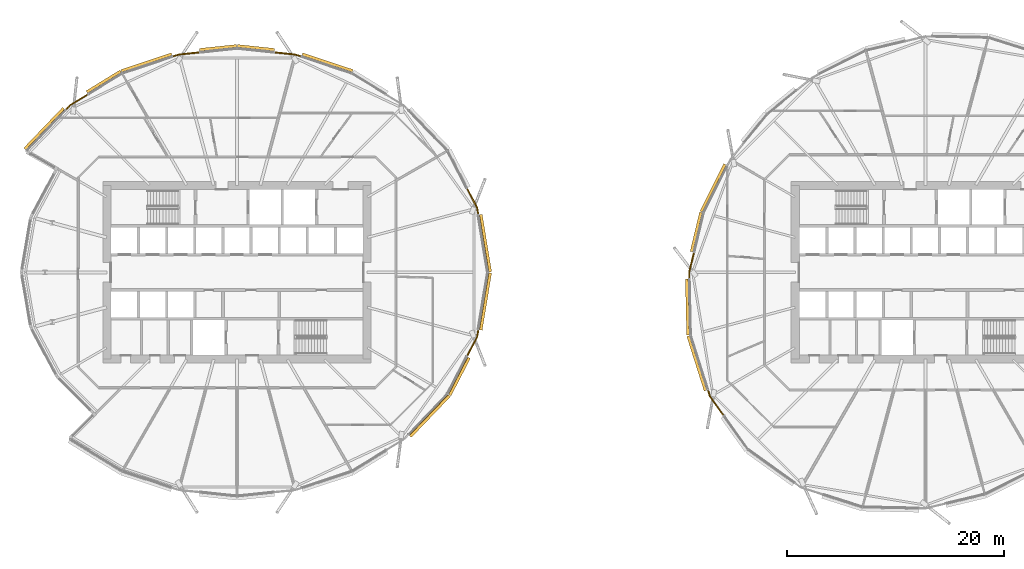
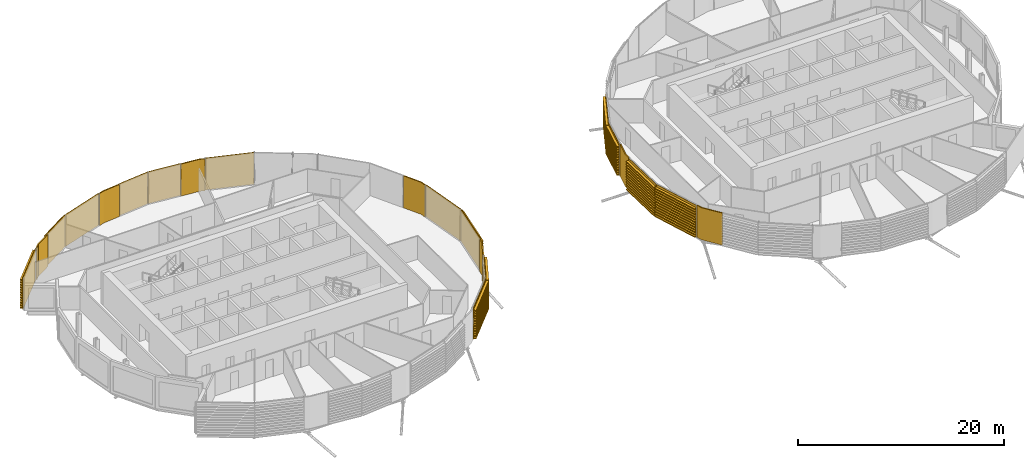
# One storey, part 35 of 38: 21 coverings.
"""IFC4 building model written with IfcOpenShell, lengths in metres."""

from ifc_helpers import new_model, si_unit, direction, frame, origin, place, context, subcontext, project, spatial, polyline, outline, extrude, material, layer, layer_set, material_profile, profile_set, type_object, element, save


model = new_model("IFC4")

# Units and contexts
model_context = context("Model", 3, precision=1e-05, world=origin(), true_north=direction((0.0, 1.0)))
body_context = subcontext(model_context, "Body", "Model", "MODEL_VIEW")
ifc_project = project(units=[si_unit("LENGTHUNIT", "METRE"), si_unit("AREAUNIT", "SQUARE_METRE"), si_unit("VOLUMEUNIT", "CUBIC_METRE"), si_unit("PLANEANGLEUNIT", "RADIAN"), si_unit("MASSUNIT", "GRAM", prefix="KILO")], contexts=[model_context])

# Site, building, storey
site_placement = place(None, origin())
site = spatial("IfcSite", under=ifc_project, at=site_placement, CompositionType="ELEMENT")
building_placement = place(site_placement, origin())
building = spatial("IfcBuilding", under=site, at=building_placement, Name="Rimbun Link Towers", CompositionType="ELEMENT")
storey_placement = place(building_placement, frame((0.0, 0.0, 123.39990234375)))
storey = spatial("IfcBuildingStorey", under=building, at=storey_placement, Name="L30", CompositionType="ELEMENT", Elevation=123.39990234375)

# Coverings
ifc_material_1 = material(Name="Terracotta", Category="masonry")
ifc_layer = layer(ifc_material_1, 0.1201171875)
ifc_layer_set = layer_set([ifc_layer], Name="LINK PIER terracotta cladding 120")
covering_type_1 = type_object("IfcCoveringType", Name="LINK PIER terracotta cladding 120", PredefinedType="CLADDING", material=ifc_layer_set)
covering_1_placement = place(storey_placement, origin())
element("IfcCovering", 1, at=covering_1_placement, inside=storey, type_object=covering_type_1, Name="LINK PIER cladding", PredefinedType="CLADDING", context=body_context, shape_type="SweptSolid", body=[
    extrude(outline(polyline([(-10.5810546875, 7.715087890625), (-9.652587890625, 5.9208984375), (-9.552001953125, 5.309326171875), (-9.43359375, 5.32861328125), (-9.537353515625, 5.959228515625), (-10.474365234375, 7.770263671875), (-10.5810546875, 7.715087890625)])), origin(), (0.0, 0.0, 1.0), 3.800048828125),
])
covering_2_placement = place(storey_placement, origin())
element("IfcCovering", 2, at=covering_2_placement, inside=storey, type_object=covering_type_1, Name="LINK PIER cladding", PredefinedType="CLADDING", context=body_context, shape_type="SweptSolid", body=[
    extrude(outline(polyline([(-28.29150390625, 20.23486328125), (-26.382080078125, 20.03369140625), (-25.8408203125, 19.8544921875), (-25.80322265625, 19.96826171875), (-26.3564453125, 20.151611328125), (-28.27880859375, 20.354248046875), (-28.29150390625, 20.23486328125)])), origin(), (0.0, 0.0, 1.0), 3.800048828125),
])
covering_3_placement = place(storey_placement, origin())
element("IfcCovering", 3, at=covering_3_placement, inside=storey, type_object=covering_type_1, Name="LINK PIER cladding", PredefinedType="CLADDING", context=body_context, shape_type="SweptSolid", body=[
    extrude(outline(polyline([(-37.6591796875, 19.8544921875), (-37.117919921875, 20.03369140625), (-35.20849609375, 20.23486328125), (-35.22119140625, 20.354248046875), (-37.1435546875, 20.151611328125), (-37.69677734375, 19.96826171875), (-37.6591796875, 19.8544921875)])), origin(), (0.0, 0.0, 1.0), 3.800048828125),
])
covering_4_placement = place(storey_placement, origin())
element("IfcCovering", 4, at=covering_4_placement, inside=storey, type_object=covering_type_1, Name="LINK PIER cladding", PredefinedType="CLADDING", context=body_context, shape_type="SweptSolid", body=[
    extrude(outline(polyline([(-47.510009765625, 14.9541015625), (-47.115478515625, 15.365478515625), (-45.4794921875, 16.3701171875), (-45.542236328125, 16.472412109375), (-47.191650390625, 15.459716796875), (-47.5966796875, 15.037109375), (-47.510009765625, 14.9541015625)])), origin(), (0.0, 0.0, 1.0), 3.800048828125),
])
covering_5_placement = place(storey_placement, origin())
element("IfcCovering", 5, at=covering_5_placement, inside=storey, type_object=covering_type_1, Name="LINK PIER cladding", PredefinedType="CLADDING", context=body_context, shape_type="SweptSolid", body=[
    extrude(outline(polyline([(-9.552001953125, -5.309326171875), (-9.652587890625, -5.9208984375), (-10.5810546875, -7.715087890625), (-10.474365234375, -7.770263671875), (-9.537353515625, -5.959228515625), (-9.43359375, -5.32861328125), (-9.552001953125, -5.309326171875)])), origin(), (0.0, 0.0, 1.0), 3.800048828125),
])
covering_6_placement = place(storey_placement, origin())
element("IfcCovering", 6, at=covering_6_placement, inside=storey, type_object=covering_type_1, Name="LINK PIER cladding", PredefinedType="CLADDING", context=body_context, shape_type="SweptSolid", body=[
    extrude(outline(polyline([(10.03173828125, -0.56982421875), (10.019775390625, 0.0), (10.45458984375, 1.818603515625), (10.337890625, 1.8466796875), (9.8994140625, 0.012939453125), (9.91162109375, -0.572509765625), (10.03173828125, -0.56982421875)])), origin(), (0.0, 0.0, 1.0), 3.800048828125),
])
covering_7_placement = place(storey_placement, origin())
element("IfcCovering", 7, at=covering_7_placement, inside=storey, type_object=covering_type_1, Name="LINK PIER cladding", PredefinedType="CLADDING", context=body_context, shape_type="SweptSolid", body=[
    extrude(outline(polyline([(13.203125, -13.201416015625), (11.93798828125, -11.4384765625), (11.750244140625, -10.84765625), (11.6357421875, -10.884033203125), (11.82958984375, -11.492919921875), (13.105712890625, -13.271484375), (13.203125, -13.201416015625)])), origin(), (0.0, 0.0, 1.0), 3.800048828125),
])
ifc_material_2 = material(Name="Terracotta", Category="masonry")
ifc_material_profile = material_profile(ifc_material_2, outline(polyline([(0.123046875, 0.0), (0.1630859375, 0.0), (0.1630859375, 0.10009765625), (0.423095703125, 0.10009765625), (0.423095703125, 0.219970703125), (0.1630859375, 0.219970703125), (0.1630859375, 0.39990234375), (0.423095703125, 0.39990234375), (0.423095703125, 0.52001953125), (0.1630859375, 0.52001953125), (0.1630859375, 0.699951171875), (0.423095703125, 0.699951171875), (0.423095703125, 0.820068359375), (0.1630859375, 0.820068359375), (0.1630859375, 1.0), (0.423095703125, 1.0), (0.423095703125, 1.1201171875), (0.1630859375, 1.1201171875), (0.1630859375, 1.300048828125), (0.423095703125, 1.300048828125), (0.423095703125, 1.419921875), (0.1630859375, 1.419921875), (0.1630859375, 1.60009765625), (0.423095703125, 1.60009765625), (0.423095703125, 1.719970703125), (0.1630859375, 1.719970703125), (0.1630859375, 1.89990234375), (0.423095703125, 1.89990234375), (0.423095703125, 2.02001953125), (0.1630859375, 2.02001953125), (0.1630859375, 2.199951171875), (0.423095703125, 2.199951171875), (0.423095703125, 2.320068359375), (0.1630859375, 2.320068359375), (0.1630859375, 2.5), (0.423095703125, 2.5), (0.423095703125, 2.6201171875), (0.1630859375, 2.6201171875), (0.1630859375, 2.800048828125), (0.423095703125, 2.800048828125), (0.423095703125, 2.919921875), (0.1630859375, 2.919921875), (0.1630859375, 3.10009765625), (0.423095703125, 3.10009765625), (0.423095703125, 3.219970703125), (0.1630859375, 3.219970703125), (0.1630859375, 3.39990234375), (0.423095703125, 3.39990234375), (0.423095703125, 3.52001953125), (0.1630859375, 3.52001953125), (0.1630859375, 3.800048828125), (0.123046875, 3.800048828125), (0.123046875, 0.0)])), Name="BAGUETTE 120X300")
ifc_profile_set = profile_set([ifc_material_profile], Name="Terracotta")
covering_type_2 = type_object("IfcCoveringType", Name="TERRACOTTA BAGUETTE 120X300 H3800", PredefinedType="CLADDING", material=ifc_profile_set)
covering_8_placement = place(storey_placement, frame((-9.547119140625, 5.279541015625, 0.0), z_axis=(0.162260158784, -0.986748012854, 0.0), x_axis=(0.986748012854, 0.162260158784, 0.0)))
element("IfcCovering", 8, at=covering_8_placement, inside=storey, type_object=covering_type_2, Name="TERRACOTTA BAGUETTE", PredefinedType="CLADDING", context=body_context, shape_type="SweptSolid", body=[
    extrude(outline(polyline([(0.123046875, 0.0), (0.1630859375, 0.0), (0.1630859375, 0.10009765625), (0.423095703125, 0.10009765625), (0.423095703125, 0.219970703125), (0.1630859375, 0.219970703125), (0.1630859375, 0.39990234375), (0.423095703125, 0.39990234375), (0.423095703125, 0.52001953125), (0.1630859375, 0.52001953125), (0.1630859375, 0.699951171875), (0.423095703125, 0.699951171875), (0.423095703125, 0.820068359375), (0.1630859375, 0.820068359375), (0.1630859375, 1.0), (0.423095703125, 1.0), (0.423095703125, 1.1201171875), (0.1630859375, 1.1201171875), (0.1630859375, 1.300048828125), (0.423095703125, 1.300048828125), (0.423095703125, 1.419921875), (0.1630859375, 1.419921875), (0.1630859375, 1.60009765625), (0.423095703125, 1.60009765625), (0.423095703125, 1.719970703125), (0.1630859375, 1.719970703125), (0.1630859375, 1.89990234375), (0.423095703125, 1.89990234375), (0.423095703125, 2.02001953125), (0.1630859375, 2.02001953125), (0.1630859375, 2.199951171875), (0.423095703125, 2.199951171875), (0.423095703125, 2.320068359375), (0.1630859375, 2.320068359375), (0.1630859375, 2.5), (0.423095703125, 2.5), (0.423095703125, 2.6201171875), (0.1630859375, 2.6201171875), (0.1630859375, 2.800048828125), (0.423095703125, 2.800048828125), (0.423095703125, 2.919921875), (0.1630859375, 2.919921875), (0.1630859375, 3.10009765625), (0.423095703125, 3.10009765625), (0.423095703125, 3.219970703125), (0.1630859375, 3.219970703125), (0.1630859375, 3.39990234375), (0.423095703125, 3.39990234375), (0.423095703125, 3.52001953125), (0.1630859375, 3.52001953125), (0.1630859375, 3.800048828125), (0.123046875, 3.800048828125), (0.123046875, 0.0)])), origin(), (0.0, 0.0, 1.0), 5.350341796875),
])
covering_9_placement = place(storey_placement, frame((-25.8125, 19.844970703125, 0.0), z_axis=(0.949241981904, -0.314546752948, 0.0), x_axis=(0.314546752948, 0.949241981904, 0.0)))
element("IfcCovering", 9, at=covering_9_placement, inside=storey, type_object=covering_type_2, Name="TERRACOTTA BAGUETTE", PredefinedType="CLADDING", context=body_context, shape_type="SweptSolid", body=[
    extrude(outline(polyline([(0.123046875, 0.0), (0.1630859375, 0.0), (0.1630859375, 0.10009765625), (0.423095703125, 0.10009765625), (0.423095703125, 0.219970703125), (0.1630859375, 0.219970703125), (0.1630859375, 0.39990234375), (0.423095703125, 0.39990234375), (0.423095703125, 0.52001953125), (0.1630859375, 0.52001953125), (0.1630859375, 0.699951171875), (0.423095703125, 0.699951171875), (0.423095703125, 0.820068359375), (0.1630859375, 0.820068359375), (0.1630859375, 1.0), (0.423095703125, 1.0), (0.423095703125, 1.1201171875), (0.1630859375, 1.1201171875), (0.1630859375, 1.300048828125), (0.423095703125, 1.300048828125), (0.423095703125, 1.419921875), (0.1630859375, 1.419921875), (0.1630859375, 1.60009765625), (0.423095703125, 1.60009765625), (0.423095703125, 1.719970703125), (0.1630859375, 1.719970703125), (0.1630859375, 1.89990234375), (0.423095703125, 1.89990234375), (0.423095703125, 2.02001953125), (0.1630859375, 2.02001953125), (0.1630859375, 2.199951171875), (0.423095703125, 2.199951171875), (0.423095703125, 2.320068359375), (0.1630859375, 2.320068359375), (0.1630859375, 2.5), (0.423095703125, 2.5), (0.423095703125, 2.6201171875), (0.1630859375, 2.6201171875), (0.1630859375, 2.800048828125), (0.423095703125, 2.800048828125), (0.423095703125, 2.919921875), (0.1630859375, 2.919921875), (0.1630859375, 3.10009765625), (0.423095703125, 3.10009765625), (0.423095703125, 3.219970703125), (0.1630859375, 3.219970703125), (0.1630859375, 3.39990234375), (0.423095703125, 3.39990234375), (0.423095703125, 3.52001953125), (0.1630859375, 3.52001953125), (0.1630859375, 3.800048828125), (0.123046875, 3.800048828125), (0.123046875, 0.0)])), origin(), (0.0, 0.0, 1.0), 4.88134765625),
])
for number, where, z_axis, x_axis, name in (
    (10, (-31.75, 20.59912109375, 0.0), (0.99450040754, -0.104732704554, 0.0), (0.104732704554, 0.99450040754, 0.0), "TERRACOTTA BAGUETTE"),
    (11, (-35.1787109375, 20.238037109375, 0.0), (0.99450040754, 0.104732704554, 0.0), (-0.104732704554, 0.99450040754, 0.0), "TERRACOTTA BAGUETTE"),
):
    element("IfcCovering", number, at=place(storey_placement, frame(where, z_axis=z_axis, x_axis=x_axis)), inside=storey, type_object=covering_type_2, Name=name, PredefinedType="CLADDING", context=body_context, shape_type="SweptSolid", body=[
        extrude(outline(polyline([(0.123046875, 0.0), (0.1630859375, 0.0), (0.1630859375, 0.10009765625), (0.423095703125, 0.10009765625), (0.423095703125, 0.219970703125), (0.1630859375, 0.219970703125), (0.1630859375, 0.39990234375), (0.423095703125, 0.39990234375), (0.423095703125, 0.52001953125), (0.1630859375, 0.52001953125), (0.1630859375, 0.699951171875), (0.423095703125, 0.699951171875), (0.423095703125, 0.820068359375), (0.1630859375, 0.820068359375), (0.1630859375, 1.0), (0.423095703125, 1.0), (0.423095703125, 1.1201171875), (0.1630859375, 1.1201171875), (0.1630859375, 1.300048828125), (0.423095703125, 1.300048828125), (0.423095703125, 1.419921875), (0.1630859375, 1.419921875), (0.1630859375, 1.60009765625), (0.423095703125, 1.60009765625), (0.423095703125, 1.719970703125), (0.1630859375, 1.719970703125), (0.1630859375, 1.89990234375), (0.423095703125, 1.89990234375), (0.423095703125, 2.02001953125), (0.1630859375, 2.02001953125), (0.1630859375, 2.199951171875), (0.423095703125, 2.199951171875), (0.423095703125, 2.320068359375), (0.1630859375, 2.320068359375), (0.1630859375, 2.5), (0.423095703125, 2.5), (0.423095703125, 2.6201171875), (0.1630859375, 2.6201171875), (0.1630859375, 2.800048828125), (0.423095703125, 2.800048828125), (0.423095703125, 2.919921875), (0.1630859375, 2.919921875), (0.1630859375, 3.10009765625), (0.423095703125, 3.10009765625), (0.423095703125, 3.219970703125), (0.1630859375, 3.219970703125), (0.1630859375, 3.39990234375), (0.423095703125, 3.39990234375), (0.423095703125, 3.52001953125), (0.1630859375, 3.52001953125), (0.1630859375, 3.800048828125), (0.123046875, 3.800048828125), (0.123046875, 0.0)])), origin(), (0.0, 0.0, 1.0), 3.44775390625),
    ])
covering_10_placement = place(storey_placement, frame((-42.321044921875, 18.3095703125, 0.0), z_axis=(0.949241981904, 0.314546752948, 0.0), x_axis=(-0.314546752948, 0.949241981904, 0.0)))
element("IfcCovering", 12, at=covering_10_placement, inside=storey, type_object=covering_type_2, Name="TERRACOTTA BAGUETTE", PredefinedType="CLADDING", context=body_context, shape_type="SweptSolid", body=[
    extrude(outline(polyline([(0.123046875, 0.0), (0.1630859375, 0.0), (0.1630859375, 0.10009765625), (0.423095703125, 0.10009765625), (0.423095703125, 0.219970703125), (0.1630859375, 0.219970703125), (0.1630859375, 0.39990234375), (0.423095703125, 0.39990234375), (0.423095703125, 0.52001953125), (0.1630859375, 0.52001953125), (0.1630859375, 0.699951171875), (0.423095703125, 0.699951171875), (0.423095703125, 0.820068359375), (0.1630859375, 0.820068359375), (0.1630859375, 1.0), (0.423095703125, 1.0), (0.423095703125, 1.1201171875), (0.1630859375, 1.1201171875), (0.1630859375, 1.300048828125), (0.423095703125, 1.300048828125), (0.423095703125, 1.419921875), (0.1630859375, 1.419921875), (0.1630859375, 1.60009765625), (0.423095703125, 1.60009765625), (0.423095703125, 1.719970703125), (0.1630859375, 1.719970703125), (0.1630859375, 1.89990234375), (0.423095703125, 1.89990234375), (0.423095703125, 2.02001953125), (0.1630859375, 2.02001953125), (0.1630859375, 2.199951171875), (0.423095703125, 2.199951171875), (0.423095703125, 2.320068359375), (0.1630859375, 2.320068359375), (0.1630859375, 2.5), (0.423095703125, 2.5), (0.423095703125, 2.6201171875), (0.1630859375, 2.6201171875), (0.1630859375, 2.800048828125), (0.423095703125, 2.800048828125), (0.423095703125, 2.919921875), (0.1630859375, 2.919921875), (0.1630859375, 3.10009765625), (0.423095703125, 3.10009765625), (0.423095703125, 3.219970703125), (0.1630859375, 3.219970703125), (0.1630859375, 3.39990234375), (0.423095703125, 3.39990234375), (0.423095703125, 3.52001953125), (0.1630859375, 3.52001953125), (0.1630859375, 3.800048828125), (0.123046875, 3.800048828125), (0.123046875, 0.0)])), origin(), (0.0, 0.0, 1.0), 4.88134765625),
])
covering_11_placement = place(storey_placement, frame((-45.453857421875, 16.385986328125, 0.0), z_axis=(0.852180057576, 0.523248649754, 0.0), x_axis=(-0.523248649754, 0.852180057576, 0.0)))
element("IfcCovering", 13, at=covering_11_placement, inside=storey, type_object=covering_type_2, Name="TERRACOTTA BAGUETTE", PredefinedType="CLADDING", context=body_context, shape_type="SweptSolid", body=[
    extrude(outline(polyline([(0.123046875, 0.0), (0.1630859375, 0.0), (0.1630859375, 0.10009765625), (0.423095703125, 0.10009765625), (0.423095703125, 0.219970703125), (0.1630859375, 0.219970703125), (0.1630859375, 0.39990234375), (0.423095703125, 0.39990234375), (0.423095703125, 0.52001953125), (0.1630859375, 0.52001953125), (0.1630859375, 0.699951171875), (0.423095703125, 0.699951171875), (0.423095703125, 0.820068359375), (0.1630859375, 0.820068359375), (0.1630859375, 1.0), (0.423095703125, 1.0), (0.423095703125, 1.1201171875), (0.1630859375, 1.1201171875), (0.1630859375, 1.300048828125), (0.423095703125, 1.300048828125), (0.423095703125, 1.419921875), (0.1630859375, 1.419921875), (0.1630859375, 1.60009765625), (0.423095703125, 1.60009765625), (0.423095703125, 1.719970703125), (0.1630859375, 1.719970703125), (0.1630859375, 1.89990234375), (0.423095703125, 1.89990234375), (0.423095703125, 2.02001953125), (0.1630859375, 2.02001953125), (0.1630859375, 2.199951171875), (0.423095703125, 2.199951171875), (0.423095703125, 2.320068359375), (0.1630859375, 2.320068359375), (0.1630859375, 2.5), (0.423095703125, 2.5), (0.423095703125, 2.6201171875), (0.1630859375, 2.6201171875), (0.1630859375, 2.800048828125), (0.423095703125, 2.800048828125), (0.423095703125, 2.919921875), (0.1630859375, 2.919921875), (0.1630859375, 3.10009765625), (0.423095703125, 3.10009765625), (0.423095703125, 3.219970703125), (0.1630859375, 3.219970703125), (0.1630859375, 3.39990234375), (0.423095703125, 3.39990234375), (0.423095703125, 3.52001953125), (0.1630859375, 3.52001953125), (0.1630859375, 3.800048828125), (0.123046875, 3.800048828125), (0.123046875, 0.0)])), origin(), (0.0, 0.0, 1.0), 3.67626953125),
])
for number, where, z_axis, x_axis, name in (
    (14, (-51.12353515625, 11.185302734375, 0.0), (0.692065709905, 0.721834505391, 0.0), (-0.721834505391, 0.692065709905, 0.0), "TERRACOTTA BAGUETTE"),
    (15, (-12.37646484375, -11.185302734375, 0.0), (-0.692065709905, -0.721834505391, 0.0), (0.721834505391, -0.692065709905, 0.0), "TERRACOTTA BAGUETTE"),
):
    element("IfcCovering", number, at=place(storey_placement, frame(where, z_axis=z_axis, x_axis=x_axis)), inside=storey, type_object=covering_type_2, Name=name, PredefinedType="CLADDING", context=body_context, shape_type="SweptSolid", body=[
        extrude(outline(polyline([(0.123046875, 0.0), (0.1630859375, 0.0), (0.1630859375, 0.10009765625), (0.423095703125, 0.10009765625), (0.423095703125, 0.219970703125), (0.1630859375, 0.219970703125), (0.1630859375, 0.39990234375), (0.423095703125, 0.39990234375), (0.423095703125, 0.52001953125), (0.1630859375, 0.52001953125), (0.1630859375, 0.699951171875), (0.423095703125, 0.699951171875), (0.423095703125, 0.820068359375), (0.1630859375, 0.820068359375), (0.1630859375, 1.0), (0.423095703125, 1.0), (0.423095703125, 1.1201171875), (0.1630859375, 1.1201171875), (0.1630859375, 1.300048828125), (0.423095703125, 1.300048828125), (0.423095703125, 1.419921875), (0.1630859375, 1.419921875), (0.1630859375, 1.60009765625), (0.423095703125, 1.60009765625), (0.423095703125, 1.719970703125), (0.1630859375, 1.719970703125), (0.1630859375, 1.89990234375), (0.423095703125, 1.89990234375), (0.423095703125, 2.02001953125), (0.1630859375, 2.02001953125), (0.1630859375, 2.199951171875), (0.423095703125, 2.199951171875), (0.423095703125, 2.320068359375), (0.1630859375, 2.320068359375), (0.1630859375, 2.5), (0.423095703125, 2.5), (0.423095703125, 2.6201171875), (0.1630859375, 2.6201171875), (0.1630859375, 2.800048828125), (0.423095703125, 2.800048828125), (0.423095703125, 2.919921875), (0.1630859375, 2.919921875), (0.1630859375, 3.10009765625), (0.423095703125, 3.10009765625), (0.423095703125, 3.219970703125), (0.1630859375, 3.219970703125), (0.1630859375, 3.39990234375), (0.423095703125, 3.39990234375), (0.423095703125, 3.52001953125), (0.1630859375, 3.52001953125), (0.1630859375, 3.800048828125), (0.123046875, 3.800048828125), (0.123046875, 0.0)])), origin(), (0.0, 0.0, 1.0), 5.19140625),
    ])
covering_12_placement = place(storey_placement, frame((-10.5947265625, -7.74169921875, 0.0), z_axis=(-0.459537686225, -0.888158271334, 0.0), x_axis=(0.888158271334, -0.459537686225, 0.0)))
element("IfcCovering", 16, at=covering_12_placement, inside=storey, type_object=covering_type_2, Name="TERRACOTTA BAGUETTE", PredefinedType="CLADDING", context=body_context, shape_type="SweptSolid", body=[
    extrude(outline(polyline([(0.123046875, 0.0), (0.1630859375, 0.0), (0.1630859375, 0.10009765625), (0.423095703125, 0.10009765625), (0.423095703125, 0.219970703125), (0.1630859375, 0.219970703125), (0.1630859375, 0.39990234375), (0.423095703125, 0.39990234375), (0.423095703125, 0.52001953125), (0.1630859375, 0.52001953125), (0.1630859375, 0.699951171875), (0.423095703125, 0.699951171875), (0.423095703125, 0.820068359375), (0.1630859375, 0.820068359375), (0.1630859375, 1.0), (0.423095703125, 1.0), (0.423095703125, 1.1201171875), (0.1630859375, 1.1201171875), (0.1630859375, 1.300048828125), (0.423095703125, 1.300048828125), (0.423095703125, 1.419921875), (0.1630859375, 1.419921875), (0.1630859375, 1.60009765625), (0.423095703125, 1.60009765625), (0.423095703125, 1.719970703125), (0.1630859375, 1.719970703125), (0.1630859375, 1.89990234375), (0.423095703125, 1.89990234375), (0.423095703125, 2.02001953125), (0.1630859375, 2.02001953125), (0.1630859375, 2.199951171875), (0.423095703125, 2.199951171875), (0.423095703125, 2.320068359375), (0.1630859375, 2.320068359375), (0.1630859375, 2.5), (0.423095703125, 2.5), (0.423095703125, 2.6201171875), (0.1630859375, 2.6201171875), (0.1630859375, 2.800048828125), (0.423095703125, 2.800048828125), (0.423095703125, 2.919921875), (0.1630859375, 2.919921875), (0.1630859375, 3.10009765625), (0.423095703125, 3.10009765625), (0.423095703125, 3.219970703125), (0.1630859375, 3.219970703125), (0.1630859375, 3.39990234375), (0.423095703125, 3.39990234375), (0.423095703125, 3.52001953125), (0.1630859375, 3.52001953125), (0.1630859375, 3.800048828125), (0.123046875, 3.800048828125), (0.123046875, 0.0)])), origin(), (0.0, 0.0, 1.0), 3.877197265625),
])
covering_13_placement = place(storey_placement, frame((-8.678955078125, 0.0, 0.0), z_axis=(-0.162260158784, -0.986748012854, 0.0), x_axis=(0.986748012854, -0.162260158784, 0.0)))
element("IfcCovering", 17, at=covering_13_placement, inside=storey, type_object=covering_type_2, Name="TERRACOTTA BAGUETTE", PredefinedType="CLADDING", context=body_context, shape_type="SweptSolid", body=[
    extrude(outline(polyline([(0.123046875, 0.0), (0.1630859375, 0.0), (0.1630859375, 0.10009765625), (0.423095703125, 0.10009765625), (0.423095703125, 0.219970703125), (0.1630859375, 0.219970703125), (0.1630859375, 0.39990234375), (0.423095703125, 0.39990234375), (0.423095703125, 0.52001953125), (0.1630859375, 0.52001953125), (0.1630859375, 0.699951171875), (0.423095703125, 0.699951171875), (0.423095703125, 0.820068359375), (0.1630859375, 0.820068359375), (0.1630859375, 1.0), (0.423095703125, 1.0), (0.423095703125, 1.1201171875), (0.1630859375, 1.1201171875), (0.1630859375, 1.300048828125), (0.423095703125, 1.300048828125), (0.423095703125, 1.419921875), (0.1630859375, 1.419921875), (0.1630859375, 1.60009765625), (0.423095703125, 1.60009765625), (0.423095703125, 1.719970703125), (0.1630859375, 1.719970703125), (0.1630859375, 1.89990234375), (0.423095703125, 1.89990234375), (0.423095703125, 2.02001953125), (0.1630859375, 2.02001953125), (0.1630859375, 2.199951171875), (0.423095703125, 2.199951171875), (0.423095703125, 2.320068359375), (0.1630859375, 2.320068359375), (0.1630859375, 2.5), (0.423095703125, 2.5), (0.423095703125, 2.6201171875), (0.1630859375, 2.6201171875), (0.1630859375, 2.800048828125), (0.423095703125, 2.800048828125), (0.423095703125, 2.919921875), (0.1630859375, 2.919921875), (0.1630859375, 3.10009765625), (0.423095703125, 3.10009765625), (0.423095703125, 3.219970703125), (0.1630859375, 3.219970703125), (0.1630859375, 3.39990234375), (0.423095703125, 3.39990234375), (0.423095703125, 3.52001953125), (0.1630859375, 3.52001953125), (0.1630859375, 3.800048828125), (0.123046875, 3.800048828125), (0.123046875, 0.0)])), origin(), (0.0, 0.0, 1.0), 5.350341796875),
])
covering_14_placement = place(storey_placement, frame((11.328369140625, 5.471923828125, 0.0), z_axis=(0.448793402305, 0.893635542068, 0.0), x_axis=(-0.893635542068, 0.448793402305, 0.0)))
element("IfcCovering", 18, at=covering_14_placement, inside=storey, type_object=covering_type_2, Name="TERRACOTTA BAGUETTE", PredefinedType="CLADDING", context=body_context, shape_type="SweptSolid", body=[
    extrude(outline(polyline([(0.123046875, 0.0), (0.1630859375, 0.0), (0.1630859375, 0.10009765625), (0.423095703125, 0.10009765625), (0.423095703125, 0.219970703125), (0.1630859375, 0.219970703125), (0.1630859375, 0.39990234375), (0.423095703125, 0.39990234375), (0.423095703125, 0.52001953125), (0.1630859375, 0.52001953125), (0.1630859375, 0.699951171875), (0.423095703125, 0.699951171875), (0.423095703125, 0.820068359375), (0.1630859375, 0.820068359375), (0.1630859375, 1.0), (0.423095703125, 1.0), (0.423095703125, 1.1201171875), (0.1630859375, 1.1201171875), (0.1630859375, 1.300048828125), (0.423095703125, 1.300048828125), (0.423095703125, 1.419921875), (0.1630859375, 1.419921875), (0.1630859375, 1.60009765625), (0.423095703125, 1.60009765625), (0.423095703125, 1.719970703125), (0.1630859375, 1.719970703125), (0.1630859375, 1.89990234375), (0.423095703125, 1.89990234375), (0.423095703125, 2.02001953125), (0.1630859375, 2.02001953125), (0.1630859375, 2.199951171875), (0.423095703125, 2.199951171875), (0.423095703125, 2.320068359375), (0.1630859375, 2.320068359375), (0.1630859375, 2.5), (0.423095703125, 2.5), (0.423095703125, 2.6201171875), (0.1630859375, 2.6201171875), (0.1630859375, 2.800048828125), (0.423095703125, 2.800048828125), (0.423095703125, 2.919921875), (0.1630859375, 2.919921875), (0.1630859375, 3.10009765625), (0.423095703125, 3.10009765625), (0.423095703125, 3.219970703125), (0.1630859375, 3.219970703125), (0.1630859375, 3.39990234375), (0.423095703125, 3.39990234375), (0.423095703125, 3.52001953125), (0.1630859375, 3.52001953125), (0.1630859375, 3.800048828125), (0.123046875, 3.800048828125), (0.123046875, 0.0)])), origin(), (0.0, 0.0, 1.0), 4.88134765625),
])
covering_15_placement = place(storey_placement, frame((10.461669921875, 1.847900390625, 0.0), z_axis=(0.232594769921, 0.972573736539, 0.0), x_axis=(-0.972573736539, 0.232594769921, 0.0)))
element("IfcCovering", 19, at=covering_15_placement, inside=storey, type_object=covering_type_2, Name="TERRACOTTA BAGUETTE", PredefinedType="CLADDING", context=body_context, shape_type="SweptSolid", body=[
    extrude(outline(polyline([(0.123046875, 0.0), (0.1630859375, 0.0), (0.1630859375, 0.10009765625), (0.423095703125, 0.10009765625), (0.423095703125, 0.219970703125), (0.1630859375, 0.219970703125), (0.1630859375, 0.39990234375), (0.423095703125, 0.39990234375), (0.423095703125, 0.52001953125), (0.1630859375, 0.52001953125), (0.1630859375, 0.699951171875), (0.423095703125, 0.699951171875), (0.423095703125, 0.820068359375), (0.1630859375, 0.820068359375), (0.1630859375, 1.0), (0.423095703125, 1.0), (0.423095703125, 1.1201171875), (0.1630859375, 1.1201171875), (0.1630859375, 1.300048828125), (0.423095703125, 1.300048828125), (0.423095703125, 1.419921875), (0.1630859375, 1.419921875), (0.1630859375, 1.60009765625), (0.423095703125, 1.60009765625), (0.423095703125, 1.719970703125), (0.1630859375, 1.719970703125), (0.1630859375, 1.89990234375), (0.423095703125, 1.89990234375), (0.423095703125, 2.02001953125), (0.1630859375, 2.02001953125), (0.1630859375, 2.199951171875), (0.423095703125, 2.199951171875), (0.423095703125, 2.320068359375), (0.1630859375, 2.320068359375), (0.1630859375, 2.5), (0.423095703125, 2.5), (0.423095703125, 2.6201171875), (0.1630859375, 2.6201171875), (0.1630859375, 2.800048828125), (0.423095703125, 2.800048828125), (0.423095703125, 2.919921875), (0.1630859375, 2.919921875), (0.1630859375, 3.10009765625), (0.423095703125, 3.10009765625), (0.423095703125, 3.219970703125), (0.1630859375, 3.219970703125), (0.1630859375, 3.39990234375), (0.423095703125, 3.39990234375), (0.423095703125, 3.52001953125), (0.1630859375, 3.52001953125), (0.1630859375, 3.800048828125), (0.123046875, 3.800048828125), (0.123046875, 0.0)])), origin(), (0.0, 0.0, 1.0), 3.726318359375),
])
covering_16_placement = place(storey_placement, frame((10.1416015625, -5.789794921875, 0.0), z_axis=(-0.021069740698, 0.999778008373, 0.0), x_axis=(-0.999778008373, -0.021069740698, 0.0)))
element("IfcCovering", 20, at=covering_16_placement, inside=storey, type_object=covering_type_2, Name="TERRACOTTA BAGUETTE", PredefinedType="CLADDING", context=body_context, shape_type="SweptSolid", body=[
    extrude(outline(polyline([(0.123046875, 0.0), (0.1630859375, 0.0), (0.1630859375, 0.10009765625), (0.423095703125, 0.10009765625), (0.423095703125, 0.219970703125), (0.1630859375, 0.219970703125), (0.1630859375, 0.39990234375), (0.423095703125, 0.39990234375), (0.423095703125, 0.52001953125), (0.1630859375, 0.52001953125), (0.1630859375, 0.699951171875), (0.423095703125, 0.699951171875), (0.423095703125, 0.820068359375), (0.1630859375, 0.820068359375), (0.1630859375, 1.0), (0.423095703125, 1.0), (0.423095703125, 1.1201171875), (0.1630859375, 1.1201171875), (0.1630859375, 1.300048828125), (0.423095703125, 1.300048828125), (0.423095703125, 1.419921875), (0.1630859375, 1.419921875), (0.1630859375, 1.60009765625), (0.423095703125, 1.60009765625), (0.423095703125, 1.719970703125), (0.1630859375, 1.719970703125), (0.1630859375, 1.89990234375), (0.423095703125, 1.89990234375), (0.423095703125, 2.02001953125), (0.1630859375, 2.02001953125), (0.1630859375, 2.199951171875), (0.423095703125, 2.199951171875), (0.423095703125, 2.320068359375), (0.1630859375, 2.320068359375), (0.1630859375, 2.5), (0.423095703125, 2.5), (0.423095703125, 2.6201171875), (0.1630859375, 2.6201171875), (0.1630859375, 2.800048828125), (0.423095703125, 2.800048828125), (0.423095703125, 2.919921875), (0.1630859375, 2.919921875), (0.1630859375, 3.10009765625), (0.423095703125, 3.10009765625), (0.423095703125, 3.219970703125), (0.1630859375, 3.219970703125), (0.1630859375, 3.39990234375), (0.423095703125, 3.39990234375), (0.423095703125, 3.52001953125), (0.1630859375, 3.52001953125), (0.1630859375, 3.800048828125), (0.123046875, 3.800048828125), (0.123046875, 0.0)])), origin(), (0.0, 0.0, 1.0), 5.191162109375),
])
covering_17_placement = place(storey_placement, frame((11.7412109375, -10.819091796875, 0.0), z_axis=(-0.303096727512, 0.952959796514, 0.0), x_axis=(-0.952959796514, -0.303096727512, 0.0)))
element("IfcCovering", 21, at=covering_17_placement, inside=storey, type_object=covering_type_2, Name="TERRACOTTA BAGUETTE", PredefinedType="CLADDING", context=body_context, shape_type="SweptSolid", body=[
    extrude(outline(polyline([(0.123046875, 0.0), (0.1630859375, 0.0), (0.1630859375, 0.10009765625), (0.423095703125, 0.10009765625), (0.423095703125, 0.219970703125), (0.1630859375, 0.219970703125), (0.1630859375, 0.39990234375), (0.423095703125, 0.39990234375), (0.423095703125, 0.52001953125), (0.1630859375, 0.52001953125), (0.1630859375, 0.699951171875), (0.423095703125, 0.699951171875), (0.423095703125, 0.820068359375), (0.1630859375, 0.820068359375), (0.1630859375, 1.0), (0.423095703125, 1.0), (0.423095703125, 1.1201171875), (0.1630859375, 1.1201171875), (0.1630859375, 1.300048828125), (0.423095703125, 1.300048828125), (0.423095703125, 1.419921875), (0.1630859375, 1.419921875), (0.1630859375, 1.60009765625), (0.423095703125, 1.60009765625), (0.423095703125, 1.719970703125), (0.1630859375, 1.719970703125), (0.1630859375, 1.89990234375), (0.423095703125, 1.89990234375), (0.423095703125, 2.02001953125), (0.1630859375, 2.02001953125), (0.1630859375, 2.199951171875), (0.423095703125, 2.199951171875), (0.423095703125, 2.320068359375), (0.1630859375, 2.320068359375), (0.1630859375, 2.5), (0.423095703125, 2.5), (0.423095703125, 2.6201171875), (0.1630859375, 2.6201171875), (0.1630859375, 2.800048828125), (0.423095703125, 2.800048828125), (0.423095703125, 2.919921875), (0.1630859375, 2.919921875), (0.1630859375, 3.10009765625), (0.423095703125, 3.10009765625), (0.423095703125, 3.219970703125), (0.1630859375, 3.219970703125), (0.1630859375, 3.39990234375), (0.423095703125, 3.39990234375), (0.423095703125, 3.52001953125), (0.1630859375, 3.52001953125), (0.1630859375, 3.800048828125), (0.123046875, 3.800048828125), (0.123046875, 0.0)])), origin(), (0.0, 0.0, 1.0), 5.277587890625),
])

save(model, "model.ifc")
